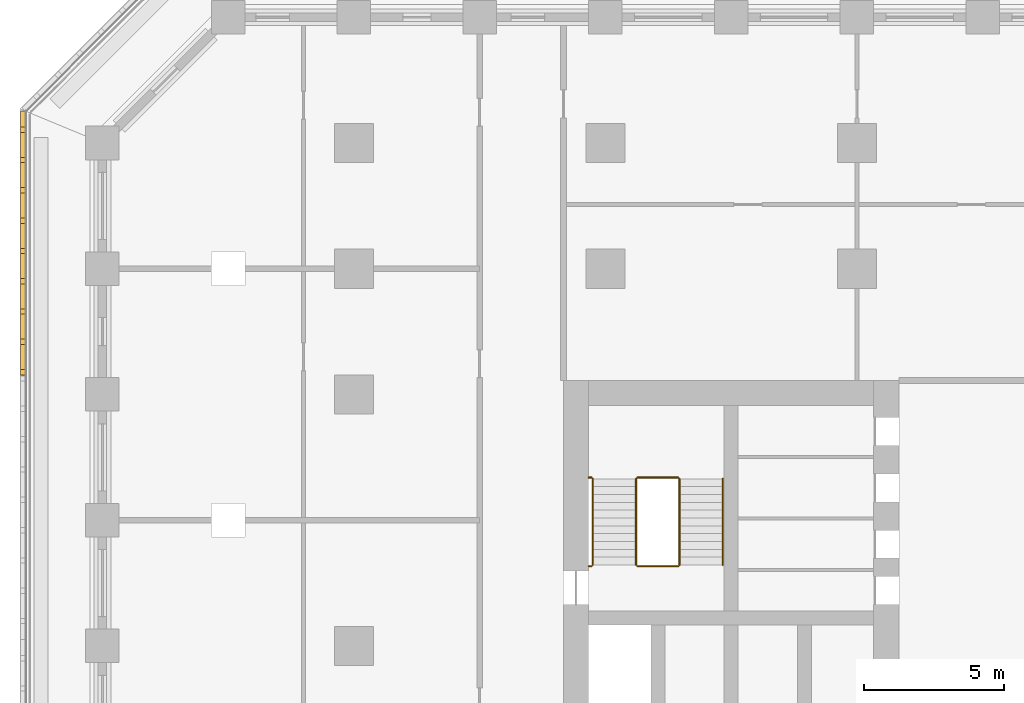
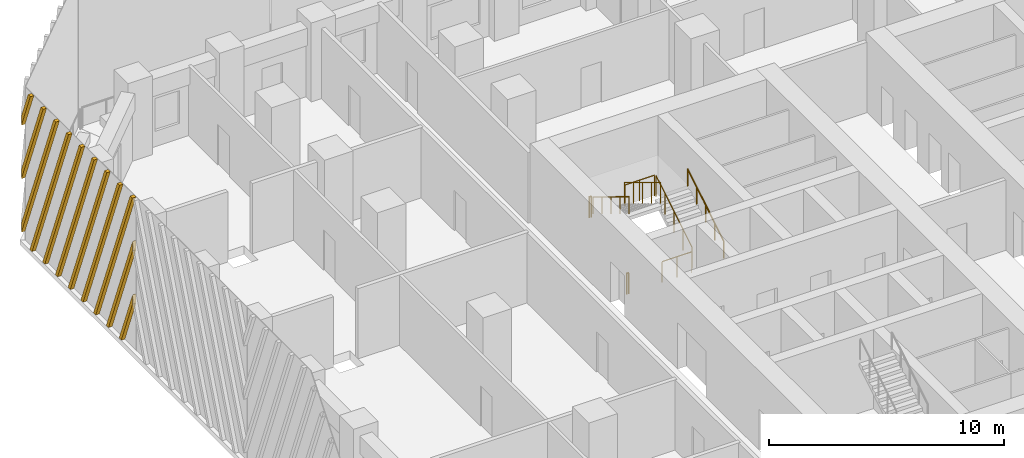
# One storey, part 15 of 19: 8 railings, 1 shading device.
"""IFC4 building model written with IfcOpenShell, lengths in metres."""

from ifc_helpers import new_model, si_unit, direction, frame, origin, origin_2d, place, context, subcontext, project, spatial, polyline, circle, outline, extrude, source, transform, mapped, material, type_object, element, save


model = new_model("IFC4")

# Units and contexts
model_context = context("Model", 3, precision=1e-05, world=origin(), true_north=direction((0.0, 1.0)))
body_context = subcontext(model_context, "Body", "Model", "MODEL_VIEW")
ifc_project = project(units=[si_unit("LENGTHUNIT", "METRE"), si_unit("AREAUNIT", "SQUARE_METRE"), si_unit("VOLUMEUNIT", "CUBIC_METRE"), si_unit("PLANEANGLEUNIT", "RADIAN"), si_unit("MASSUNIT", "GRAM", prefix="KILO")], contexts=[model_context])

# Site, building, storey
site_placement = place(None, origin())
site = spatial("IfcSite", under=ifc_project, at=site_placement, CompositionType="ELEMENT")
building_placement = place(site_placement, origin())
building = spatial("IfcBuilding", under=site, at=building_placement, Name="Corbel Stack Research Tower", CompositionType="ELEMENT")
storey_placement = place(building_placement, frame((0.0, 0.0, 116.699951171875)))
storey = spatial("IfcBuildingStorey", under=building, at=storey_placement, Name="L26", CompositionType="ELEMENT", Elevation=116.699951171875)

# Railings
ifc_material_1 = material(Name="Steel S355", Category="steel")
railing_type_1 = type_object("IfcRailingType", Name="Stair guard 1100", PredefinedType="GUARDRAIL", material=ifc_material_1)
railing_1_placement = place(storey_placement, frame((-6.35009765625, 11.89990234375, 0.1708984375)))
element("IfcRailing", 1, at=railing_1_placement, inside=storey, type_object=railing_type_1, Name="L26 ST-W2 stair guard 1", PredefinedType="GUARDRAIL", context=body_context, shape_type="SweptSolid", body=[
    extrude(circle(Radius=0.02392578125, at=origin_2d()), frame((0.0, 0.0, 1.076171875), z_axis=(0.0, 0.853666305674, 0.52082035152), x_axis=(-1.0, 0.0, 0.0)), (0.0, 0.0, 1.0), 3.608154296875),
    extrude(circle(Radius=0.02099609375, at=origin_2d()), origin(), (0.0, 0.0, 1.0), 1.052001953125),
    extrude(circle(Radius=0.02099609375, at=origin_2d()), frame((0.0, 0.77001953125, 0.4697265625)), (0.0, 0.0, 1.0), 1.052001953125),
    extrude(circle(Radius=0.02099609375, at=origin_2d()), frame((0.0, 1.5400390625, 0.939453125)), (0.0, 0.0, 1.0), 1.052001953125),
    extrude(circle(Radius=0.02099609375, at=origin_2d()), frame((0.0, 2.31005859375, 1.409423828125)), (0.0, 0.0, 1.0), 1.052001953125),
    extrude(circle(Radius=0.02099609375, at=origin_2d()), frame((0.0, 3.080078125, 1.879150390625)), (0.0, 0.0, 1.0), 1.052001953125),
])
railing_2_placement = place(storey_placement, frame((-6.39990234375, 15.030029296875, 2.050048828125)))
element("IfcRailing", 2, at=railing_2_placement, inside=storey, type_object=railing_type_1, Name="L26 ST-W2 stair guard 2", PredefinedType="GUARDRAIL", context=body_context, shape_type="SweptSolid", body=[
    extrude(circle(Radius=0.02392578125, at=origin_2d()), frame((0.0, 0.0, 1.076171875), z_axis=(-1.0, 0.0, 0.0), x_axis=(0.0, -1.0, 0.0)), (0.0, 0.0, 1.0), 1.4501953125),
    extrude(circle(Radius=0.02099609375, at=origin_2d()), origin(), (0.0, 0.0, 1.0), 1.052001953125),
    extrude(circle(Radius=0.02099609375, at=origin_2d()), frame((-0.72509765625, 0.0, 0.0)), (0.0, 0.0, 1.0), 1.052001953125),
    extrude(circle(Radius=0.02099609375, at=origin_2d()), frame((-1.4501953125, 0.0, 0.0)), (0.0, 0.0, 1.0), 1.052001953125),
])
railing_3_placement = place(storey_placement, frame((-9.5, 15.030029296875, 2.050048828125)))
element("IfcRailing", 3, at=railing_3_placement, inside=storey, type_object=railing_type_1, Name="L26 ST-W2 stair guard 3", PredefinedType="GUARDRAIL", context=body_context, shape_type="SweptSolid", body=[
    extrude(circle(Radius=0.02392578125, at=origin_2d()), frame((0.0, 0.0, 1.076171875), z_axis=(-1.0, 0.0, 0.0), x_axis=(0.0, -1.0, 0.0)), (0.0, 0.0, 1.0), 0.10009765625),
    extrude(circle(Radius=0.02099609375, at=origin_2d()), origin(), (0.0, 0.0, 1.0), 1.052001953125),
    extrude(circle(Radius=0.02099609375, at=origin_2d()), frame((-0.10009765625, 0.0, 0.0)), (0.0, 0.0, 1.0), 1.052001953125),
])
railing_4_placement = place(storey_placement, frame((-7.89990234375, 14.97998046875, 2.220947265625)))
element("IfcRailing", 4, at=railing_4_placement, inside=storey, type_object=railing_type_1, Name="L26 ST-W2 stair guard 4", PredefinedType="GUARDRAIL", context=body_context, shape_type="SweptSolid", body=[
    extrude(circle(Radius=0.02392578125, at=origin_2d()), frame((0.0, 0.0, 1.076171875), z_axis=(0.0, -0.853666305674, 0.52082035152), x_axis=(1.0, 0.0, 0.0)), (0.0, 0.0, 1.0), 3.608154296875),
    extrude(circle(Radius=0.02099609375, at=origin_2d()), origin(), (0.0, 0.0, 1.0), 1.052001953125),
    extrude(circle(Radius=0.02099609375, at=origin_2d()), frame((0.0, -0.77001953125, 0.4697265625)), (0.0, 0.0, 1.0), 1.052001953125),
    extrude(circle(Radius=0.02099609375, at=origin_2d()), frame((0.0, -1.5400390625, 0.939453125)), (0.0, 0.0, 1.0), 1.052001953125),
    extrude(circle(Radius=0.02099609375, at=origin_2d()), frame((0.0, -2.31005859375, 1.409423828125)), (0.0, 0.0, 1.0), 1.052001953125),
    extrude(circle(Radius=0.02099609375, at=origin_2d()), frame((0.0, -3.080078125, 1.879150390625)), (0.0, 0.0, 1.0), 1.052001953125),
])
railing_5_placement = place(storey_placement, frame((-6.39990234375, 11.85009765625, 0.0)))
element("IfcRailing", 5, at=railing_5_placement, inside=storey, type_object=railing_type_1, Name="L26 ST-W2 stair guard 5", PredefinedType="GUARDRAIL", context=body_context, shape_type="SweptSolid", body=[
    extrude(circle(Radius=0.02392578125, at=origin_2d()), frame((0.0, 0.0, 1.076171875), z_axis=(-1.0, 0.0, 0.0), x_axis=(0.0, -1.0, 0.0)), (0.0, 0.0, 1.0), 1.4501953125),
    extrude(circle(Radius=0.02099609375, at=origin_2d()), origin(), (0.0, 0.0, 1.0), 1.052001953125),
    extrude(circle(Radius=0.02099609375, at=origin_2d()), frame((-0.72509765625, 0.0, 0.0)), (0.0, 0.0, 1.0), 1.052001953125),
    extrude(circle(Radius=0.02099609375, at=origin_2d()), frame((-1.4501953125, 0.0, 0.0)), (0.0, 0.0, 1.0), 1.052001953125),
])
railing_6_placement = place(storey_placement, frame((-9.5, 11.85009765625, 0.0)))
element("IfcRailing", 6, at=railing_6_placement, inside=storey, type_object=railing_type_1, Name="L26 ST-W2 stair guard 6", PredefinedType="GUARDRAIL", context=body_context, shape_type="SweptSolid", body=[
    extrude(circle(Radius=0.02392578125, at=origin_2d()), frame((0.0, 0.0, 1.076171875), z_axis=(-1.0, 0.0, 0.0), x_axis=(0.0, -1.0, 0.0)), (0.0, 0.0, 1.0), 0.10009765625),
    extrude(circle(Radius=0.02099609375, at=origin_2d()), origin(), (0.0, 0.0, 1.0), 1.052001953125),
    extrude(circle(Radius=0.02099609375, at=origin_2d()), frame((-0.10009765625, 0.0, 0.0)), (0.0, 0.0, 1.0), 1.052001953125),
])
ifc_material_2 = material(Name="Steel S355", Category="steel")
railing_type_2 = type_object("IfcRailingType", Name="Stair handrail 900", PredefinedType="HANDRAIL", material=ifc_material_2)
railing_7_placement = place(storey_placement, frame((-4.800048828125, 11.89990234375, 0.1708984375)))
element("IfcRailing", 7, at=railing_7_placement, inside=storey, type_object=railing_type_2, Name="L26 ST-W2 stair handrail 1", PredefinedType="HANDRAIL", context=body_context, shape_type="SweptSolid", body=[
    extrude(circle(Radius=0.02392578125, at=origin_2d()), frame((0.0, 0.0, 0.8759765625), z_axis=(0.0, 0.853666305674, 0.52082035152), x_axis=(-1.0, 0.0, 0.0)), (0.0, 0.0, 1.0), 3.608154296875),
    extrude(circle(Radius=0.02099609375, at=origin_2d()), origin(), (0.0, 0.0, 1.0), 0.851806640625),
    extrude(circle(Radius=0.02099609375, at=origin_2d()), frame((0.0, 0.77001953125, 0.4697265625)), (0.0, 0.0, 1.0), 0.851806640625),
    extrude(circle(Radius=0.02099609375, at=origin_2d()), frame((0.0, 1.5400390625, 0.939453125)), (0.0, 0.0, 1.0), 0.851806640625),
    extrude(circle(Radius=0.02099609375, at=origin_2d()), frame((0.0, 2.31005859375, 1.409423828125)), (0.0, 0.0, 1.0), 0.851806640625),
    extrude(circle(Radius=0.02099609375, at=origin_2d()), frame((0.0, 3.080078125, 1.879150390625)), (0.0, 0.0, 1.0), 0.851806640625),
])
railing_8_placement = place(storey_placement, frame((-9.449951171875, 14.97998046875, 2.220947265625)))
element("IfcRailing", 8, at=railing_8_placement, inside=storey, type_object=railing_type_2, Name="L26 ST-W2 stair handrail 2", PredefinedType="HANDRAIL", context=body_context, shape_type="SweptSolid", body=[
    extrude(circle(Radius=0.02392578125, at=origin_2d()), frame((0.0, 0.0, 0.8759765625), z_axis=(0.0, -0.853666305674, 0.52082035152), x_axis=(1.0, 0.0, 0.0)), (0.0, 0.0, 1.0), 3.608154296875),
    extrude(circle(Radius=0.02099609375, at=origin_2d()), origin(), (0.0, 0.0, 1.0), 0.851806640625),
    extrude(circle(Radius=0.02099609375, at=origin_2d()), frame((0.0, -0.77001953125, 0.4697265625)), (0.0, 0.0, 1.0), 0.851806640625),
    extrude(circle(Radius=0.02099609375, at=origin_2d()), frame((0.0, -1.5400390625, 0.939453125)), (0.0, 0.0, 1.0), 0.851806640625),
    extrude(circle(Radius=0.02099609375, at=origin_2d()), frame((0.0, -2.31005859375, 1.409423828125)), (0.0, 0.0, 1.0), 0.851806640625),
    extrude(circle(Radius=0.02099609375, at=origin_2d()), frame((0.0, -3.080078125, 1.879150390625)), (0.0, 0.0, 1.0), 0.851806640625),
])

# Shading device
ifc_material_3 = material(Name="Precast terracotta", Category="masonry")
shading_device_type = type_object("IfcShadingDeviceType", Name="Terracotta screen panel", PredefinedType="USERDEFINED", material=ifc_material_3)
shared_shape = source(origin(), body_context, "Body", "SweptSolid", [
    extrude(outline(polyline([(0.759521484375, 7.949951171875), (0.5693359375, 7.949951171875), (0.0, 6.4921875), (0.0, 6.005615234375), (0.759521484375, 7.949951171875)])), frame((0.0, 0.0, 0.0), z_axis=(0.0, -1.0, 0.0), x_axis=(1.0, 0.0, 0.0)), (0.0, 0.0, 1.0), 0.179931640625),
    extrude(outline(polyline([(1.843994140625, 7.949951171875), (1.654052734375, 7.949951171875), (0.0, 3.71484375), (0.0, 3.228515625), (1.843994140625, 7.949951171875)])), frame((0.0, 0.0, 0.0), z_axis=(0.0, -1.0, 0.0), x_axis=(1.0, 0.0, 0.0)), (0.0, 0.0, 1.0), 0.179931640625),
    extrude(outline(polyline([(2.9287109375, 7.949951171875), (2.73876953125, 7.949951171875), (0.0, 0.9375), (0.0, 0.451171875), (2.9287109375, 7.949951171875)])), frame((0.0, 0.0, 0.0), z_axis=(0.0, -1.0, 0.0), x_axis=(1.0, 0.0, 0.0)), (0.0, 0.0, 1.0), 0.179931640625),
    extrude(outline(polyline([(0.908447265625, 0.0), (4.013427734375, 7.949951171875), (3.823486328125, 7.949951171875), (0.718505859375, 0.0), (0.908447265625, 0.0)])), frame((0.0, 0.0, 0.0), z_axis=(0.0, -1.0, 0.0), x_axis=(1.0, 0.0, 0.0)), (0.0, 0.0, 1.0), 0.179931640625),
    extrude(outline(polyline([(1.9931640625, 0.0), (5.097900390625, 7.949951171875), (4.907958984375, 7.949951171875), (1.80322265625, 0.0), (1.9931640625, 0.0)])), frame((0.0, 0.0, 0.0), z_axis=(0.0, -1.0, 0.0), x_axis=(1.0, 0.0, 0.0)), (0.0, 0.0, 1.0), 0.179931640625),
    extrude(outline(polyline([(3.077880859375, 0.0), (6.1826171875, 7.949951171875), (5.99267578125, 7.949951171875), (2.8876953125, 0.0), (3.077880859375, 0.0)])), frame((0.0, 0.0, 0.0), z_axis=(0.0, -1.0, 0.0), x_axis=(1.0, 0.0, 0.0)), (0.0, 0.0, 1.0), 0.179931640625),
    extrude(outline(polyline([(4.16259765625, 0.0), (7.267333984375, 7.949951171875), (7.077392578125, 7.949951171875), (3.972412109375, 0.0), (4.16259765625, 0.0)])), frame((0.0, 0.0, 0.0), z_axis=(0.0, -1.0, 0.0), x_axis=(1.0, 0.0, 0.0)), (0.0, 0.0, 1.0), 0.179931640625),
    extrude(outline(polyline([(5.247314453125, 0.0), (8.35205078125, 7.949951171875), (8.162109375, 7.949951171875), (5.05712890625, 0.0), (5.247314453125, 0.0)])), frame((0.0, 0.0, 0.0), z_axis=(0.0, -1.0, 0.0), x_axis=(1.0, 0.0, 0.0)), (0.0, 0.0, 1.0), 0.179931640625),
    extrude(outline(polyline([(6.331787109375, 0.0), (9.436767578125, 7.949951171875), (9.24658203125, 7.949951171875), (6.141845703125, 0.0), (6.331787109375, 0.0)])), frame((0.0, 0.0, 0.0), z_axis=(0.0, -1.0, 0.0), x_axis=(1.0, 0.0, 0.0)), (0.0, 0.0, 1.0), 0.179931640625),
    extrude(outline(polyline([(7.41650390625, 0.0), (9.45556640625, 5.22119140625), (9.45556640625, 5.707763671875), (7.2265625, 0.0), (7.41650390625, 0.0)])), frame((0.0, 0.0, 0.0), z_axis=(0.0, -1.0, 0.0), x_axis=(1.0, 0.0, 0.0)), (0.0, 0.0, 1.0), 0.179931640625),
    extrude(outline(polyline([(8.501220703125, 0.0), (9.45556640625, 2.44384765625), (9.45556640625, 2.930419921875), (8.311279296875, 0.0), (8.501220703125, 0.0)])), frame((0.0, 0.0, 0.0), z_axis=(0.0, -1.0, 0.0), x_axis=(1.0, 0.0, 0.0)), (0.0, 0.0, 1.0), 0.179931640625),
])
shading_device_placement = place(storey_placement, frame((-29.75, 28.13916015625, 0.0), z_axis=(0.0, 0.0, 1.0), x_axis=(0.0, -1.0, 0.0)))
element("IfcShadingDevice", 9, at=shading_device_placement, inside=storey, type_object=shading_device_type, Name="Terracotta screen L26 W1", ObjectType="SCREEN", PredefinedType="USERDEFINED", context=body_context, shape_type="MappedRepresentation", body=[
    mapped(shared_shape, transform((0.0, 0.0, 0.0))),
])

save(model, "model.ifc")
